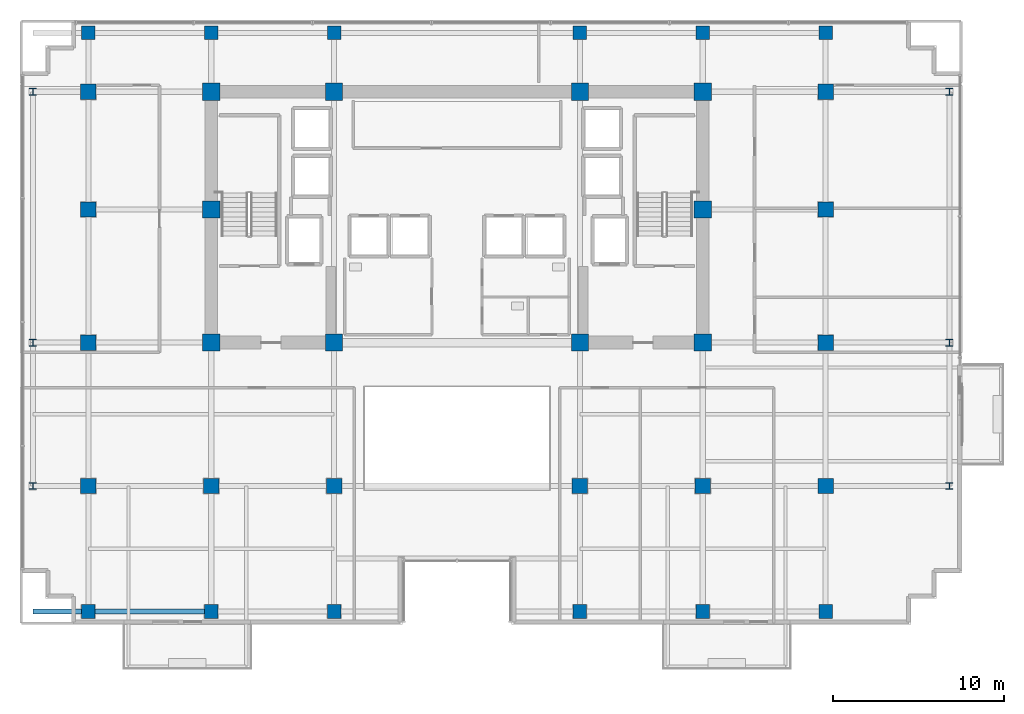
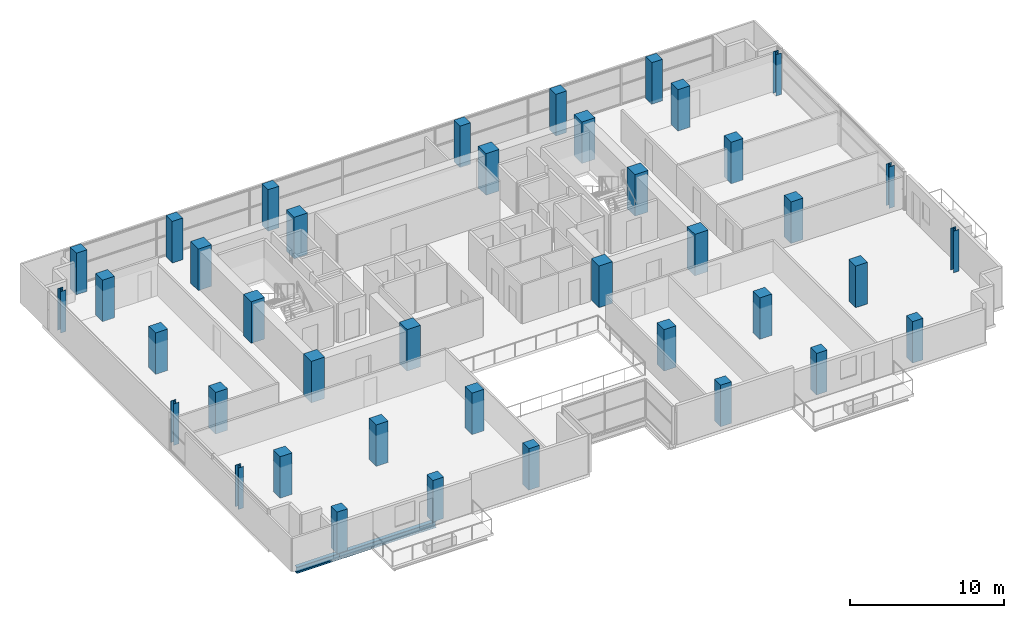
# One storey, part 1 of 25: 40 columns, 2 beams.
"""IFC4 building model written with IfcOpenShell, lengths in metres."""

from ifc_helpers import new_model, si_unit, direction, frame, origin, origin_2d, place, context, subcontext, project, spatial, rectangle, i_section, extrude, material, material_profile, profile_set, type_object, element, save


model = new_model("IFC4")

# Units and contexts
model_context = context("Model", 3, precision=1e-05, world=origin(), true_north=direction((0.0, 1.0)))
body_context = subcontext(model_context, "Body", "Model", "MODEL_VIEW")
ifc_project = project(units=[si_unit("LENGTHUNIT", "METRE"), si_unit("AREAUNIT", "SQUARE_METRE"), si_unit("VOLUMEUNIT", "CUBIC_METRE"), si_unit("PLANEANGLEUNIT", "RADIAN"), si_unit("MASSUNIT", "GRAM", prefix="KILO")], contexts=[model_context])

# Site, building, storey
site_placement = place(None, origin())
site = spatial("IfcSite", under=ifc_project, at=site_placement, CompositionType="ELEMENT")
building_placement = place(site_placement, origin())
building = spatial("IfcBuilding", under=site, at=building_placement, Name="Zarnakvel Exchange Tower", CompositionType="ELEMENT")
storey_placement = place(building_placement, frame((0.0, 0.0, 126.39990234375)))
storey = spatial("IfcBuildingStorey", under=building, at=storey_placement, Name="L35", CompositionType="ELEMENT", Elevation=126.39990234375)

# Columns
ifc_material_1 = material(Name="Concrete C60/75", Category="concrete")
ifc_material_profile_1 = material_profile(ifc_material_1, rectangle(XDim=1.0, YDim=1.0, at=origin_2d()))
ifc_profile_set_1 = profile_set([ifc_material_profile_1], Name="Concrete C60/75")
column_type_1 = type_object("IfcColumnType", Name="CC-02", PredefinedType="COLUMN", material=ifc_profile_set_1)
for number, where, z_axis, x_axis, name in (
    (1, (-14.39990234375, -1.199951171875, 0.0), (0.0, 0.0, 1.0), (1.0, 0.0, 0.0), "L35 Column C-4D (CC-02)"),
    (2, (-7.199951171875, -1.199951171875, 0.0), (0.0, 0.0, 1.0), (1.0, 0.0, 0.0), "L35 Column C-5D (CC-02)"),
    (3, (7.199951171875, -1.199951171875, 0.0), (0.0, 0.0, 1.0), (1.0, 0.0, 0.0), "L35 Column C-8D (CC-02)"),
    (4, (14.39990234375, -1.199951171875, 0.0), (0.0, 0.0, 1.0), (1.0, 0.0, 0.0), "L35 Column C-9D (CC-02)"),
    (5, (-14.39990234375, 6.60009765625, 0.0), (0.0, 0.0, 1.0), (1.0, 0.0, 0.0), "L35 Column C-4E (CC-02)"),
    (6, (14.39990234375, 6.60009765625, 0.0), (0.0, 0.0, 1.0), (1.0, 0.0, 0.0), "L35 Column C-9E (CC-02)"),
    (7, (-14.39990234375, 13.5, 0.0), (0.0, 0.0, 1.0), (1.0, 0.0, 0.0), "L35 Column C-4F (CC-02)"),
    (8, (-7.199951171875, 13.5, 0.0), (0.0, 0.0, 1.0), (1.0, 0.0, 0.0), "L35 Column C-5F (CC-02)"),
    (9, (7.199951171875, 13.5, 0.0), (0.0, 0.0, 1.0), (1.0, 0.0, 0.0), "L35 Column C-8F (CC-02)"),
    (10, (14.39990234375, 13.5, 0.0), (0.0, 0.0, 1.0), (1.0, 0.0, 0.0), "L35 Column C-9F (CC-02)"),
):
    element("IfcColumn", number, at=place(storey_placement, frame(where, z_axis=z_axis, x_axis=x_axis)), inside=storey, type_object=column_type_1, Name=name, PredefinedType="COLUMN", context=body_context, shape_type="SweptSolid", body=[
        extrude(rectangle(XDim=1.0, YDim=1.0, at=origin_2d()), origin(), (0.0, 0.0, 1.0), 3.300048828125),
    ])
ifc_material_2 = material(Name="Steel S355", Category="steel")
ifc_material_profile_2 = material_profile(ifc_material_2, i_section(OverallWidth=0.404052734375, OverallDepth=0.406982421875, WebThickness=0.0224609375, FlangeThickness=0.031982421875, FilletRadius=0.014892578125, at=origin_2d()))
ifc_profile_set_2 = profile_set([ifc_material_profile_2], Name="Steel S355")
column_type_2 = type_object("IfcColumnType", Name="SC-02", PredefinedType="COLUMN", material=ifc_profile_set_2)
for number, where, z_axis, x_axis, name in (
    (11, (-24.85009765625, -9.60009765625, 0.0), (0.0, 0.0, 1.0), (1.0, 0.0, 0.0), "L35 Column TW-C (SC-02)"),
    (12, (28.85009765625, -9.60009765625, 0.0), (0.0, 0.0, 1.0), (1.0, 0.0, 0.0), "L35 Column TE-C (SC-02)"),
    (13, (-24.85009765625, -1.199951171875, 0.0), (0.0, 0.0, 1.0), (1.0, 0.0, 0.0), "L35 Column TW-D (SC-02)"),
    (14, (28.85009765625, -1.199951171875, 0.0), (0.0, 0.0, 1.0), (1.0, 0.0, 0.0), "L35 Column TE-D (SC-02)"),
    (15, (-24.85009765625, 13.5, 0.0), (0.0, 0.0, 1.0), (1.0, 0.0, 0.0), "L35 Column TW-F (SC-02)"),
    (16, (28.85009765625, 13.5, 0.0), (0.0, 0.0, 1.0), (1.0, 0.0, 0.0), "L35 Column TE-F (SC-02)"),
):
    element("IfcColumn", number, at=place(storey_placement, frame(where, z_axis=z_axis, x_axis=x_axis)), inside=storey, type_object=column_type_2, Name=name, PredefinedType="COLUMN", context=body_context, shape_type="SweptSolid", body=[
        extrude(i_section(OverallWidth=0.404052734375, OverallDepth=0.406982421875, WebThickness=0.0224609375, FlangeThickness=0.031982421875, FilletRadius=0.014892578125, at=origin_2d()), origin(), (0.0, 0.0, 1.0), 3.300048828125),
    ])
ifc_material_profile_3 = material_profile(ifc_material_1, rectangle(XDim=0.89990234375, YDim=0.89990234375, at=origin_2d()))
ifc_profile_set_3 = profile_set([ifc_material_profile_3], Name="Concrete C60/75")
column_type_3 = type_object("IfcColumnType", Name="TC-02", PredefinedType="COLUMN", material=ifc_profile_set_3)
for number, where, z_axis, x_axis, name in (
    (17, (-14.39990234375, -9.60009765625, 0.0), (0.0, 0.0, 1.0), (1.0, 0.0, 0.0), "L35 Column T-4C (TC-02)"),
    (18, (-7.199951171875, -9.60009765625, 0.0), (0.0, 0.0, 1.0), (1.0, 0.0, 0.0), "L35 Column T-5C (TC-02)"),
    (19, (7.199951171875, -9.60009765625, 0.0), (0.0, 0.0, 1.0), (1.0, 0.0, 0.0), "L35 Column T-8C (TC-02)"),
    (20, (14.39990234375, -9.60009765625, 0.0), (0.0, 0.0, 1.0), (1.0, 0.0, 0.0), "L35 Column T-9C (TC-02)"),
    (21, (-21.60009765625, -9.60009765625, 0.0), (0.0, 0.0, 1.0), (1.0, 0.0, 0.0), "L35 Column T-3C (TC-02)"),
    (22, (-21.60009765625, -1.199951171875, 0.0), (0.0, 0.0, 1.0), (1.0, 0.0, 0.0), "L35 Column T-3D (TC-02)"),
    (23, (-21.60009765625, 6.60009765625, 0.0), (0.0, 0.0, 1.0), (1.0, 0.0, 0.0), "L35 Column T-3E (TC-02)"),
    (24, (-21.60009765625, 13.5, 0.0), (0.0, 0.0, 1.0), (1.0, 0.0, 0.0), "L35 Column T-3F (TC-02)"),
    (25, (21.60009765625, -9.60009765625, 0.0), (0.0, 0.0, 1.0), (1.0, 0.0, 0.0), "L35 Column T-10C (TC-02)"),
    (26, (21.60009765625, -1.199951171875, 0.0), (0.0, 0.0, 1.0), (1.0, 0.0, 0.0), "L35 Column T-10D (TC-02)"),
    (27, (21.60009765625, 6.60009765625, 0.0), (0.0, 0.0, 1.0), (1.0, 0.0, 0.0), "L35 Column T-10E (TC-02)"),
    (28, (21.60009765625, 13.5, 0.0), (0.0, 0.0, 1.0), (1.0, 0.0, 0.0), "L35 Column T-10F (TC-02)"),
):
    element("IfcColumn", number, at=place(storey_placement, frame(where, z_axis=z_axis, x_axis=x_axis)), inside=storey, type_object=column_type_3, Name=name, PredefinedType="COLUMN", context=body_context, shape_type="SweptSolid", body=[
        extrude(rectangle(XDim=0.89990234375, YDim=0.89990234375, at=origin_2d()), origin(), (0.0, 0.0, 1.0), 3.300048828125),
    ])
ifc_material_profile_4 = material_profile(ifc_material_1, rectangle(XDim=0.800048828125, YDim=0.800048828125, at=origin_2d()))
ifc_profile_set_4 = profile_set([ifc_material_profile_4], Name="Concrete C60/75")
column_type_4 = type_object("IfcColumnType", Name="TC-03", PredefinedType="COLUMN", material=ifc_profile_set_4)
for number, where, z_axis, x_axis, name in (
    (29, (-14.39990234375, -16.949951171875, 0.0), (0.0, 0.0, 1.0), (1.0, 0.0, 0.0), "L35 Column TS-4 (TC-03)"),
    (30, (-14.39990234375, 16.949951171875, 0.0), (0.0, 0.0, 1.0), (1.0, 0.0, 0.0), "L35 Column TN-4 (TC-03)"),
    (31, (-7.199951171875, -16.949951171875, 0.0), (0.0, 0.0, 1.0), (1.0, 0.0, 0.0), "L35 Column TS-5 (TC-03)"),
    (32, (-7.199951171875, 16.949951171875, 0.0), (0.0, 0.0, 1.0), (1.0, 0.0, 0.0), "L35 Column TN-5 (TC-03)"),
    (33, (7.199951171875, -16.949951171875, 0.0), (0.0, 0.0, 1.0), (1.0, 0.0, 0.0), "L35 Column TS-8 (TC-03)"),
    (34, (7.199951171875, 16.949951171875, 0.0), (0.0, 0.0, 1.0), (1.0, 0.0, 0.0), "L35 Column TN-8 (TC-03)"),
    (35, (14.39990234375, -16.949951171875, 0.0), (0.0, 0.0, 1.0), (1.0, 0.0, 0.0), "L35 Column TS-9 (TC-03)"),
    (36, (14.39990234375, 16.949951171875, 0.0), (0.0, 0.0, 1.0), (1.0, 0.0, 0.0), "L35 Column TN-9 (TC-03)"),
    (37, (-21.60009765625, -16.949951171875, 0.0), (0.0, 0.0, 1.0), (1.0, 0.0, 0.0), "L35 Column TS-3 (TC-03)"),
    (38, (-21.60009765625, 16.949951171875, 0.0), (0.0, 0.0, 1.0), (1.0, 0.0, 0.0), "L35 Column TN-3 (TC-03)"),
    (39, (21.60009765625, -16.949951171875, 0.0), (0.0, 0.0, 1.0), (1.0, 0.0, 0.0), "L35 Column TS-10 (TC-03)"),
    (40, (21.60009765625, 16.949951171875, 0.0), (0.0, 0.0, 1.0), (1.0, 0.0, 0.0), "L35 Column TN-10 (TC-03)"),
):
    element("IfcColumn", number, at=place(storey_placement, frame(where, z_axis=z_axis, x_axis=x_axis)), inside=storey, type_object=column_type_4, Name=name, PredefinedType="COLUMN", context=body_context, shape_type="SweptSolid", body=[
        extrude(rectangle(XDim=0.800048828125, YDim=0.800048828125, at=origin_2d()), origin(), (0.0, 0.0, 1.0), 3.300048828125),
    ])

# Beams
ifc_material_profile_5 = material_profile(ifc_material_2, i_section(OverallWidth=0.300048828125, OverallDepth=0.5, WebThickness=0.014404296875, FlangeThickness=0.028076171875, FilletRadius=0.027099609375, at=origin_2d()))
ifc_profile_set_5 = profile_set([ifc_material_profile_5], Name="Steel S355")
beam_type = type_object("IfcBeamType", Name="SP-02", PredefinedType="SPANDREL", material=ifc_profile_set_5)
beam_1_placement = place(storey_placement, frame((-21.60009765625, -16.949951171875, -0.474853515625), z_axis=(1.0, 0.0, 0.0), x_axis=(0.0, 1.0, 0.0)))
element("IfcBeam", 41, at=beam_1_placement, inside=storey, type_object=beam_type, Name="L35 Tower E-W Frame Beam", PredefinedType="SPANDREL", context=body_context, shape_type="SweptSolid", body=[
    extrude(i_section(OverallWidth=0.300048828125, OverallDepth=0.5, WebThickness=0.014404296875, FlangeThickness=0.028076171875, FilletRadius=0.027099609375, at=origin_2d()), origin(), (0.0, 0.0, 1.0), 7.2001953125),
])
beam_2_placement = place(storey_placement, frame((-24.85009765625, -16.949951171875, -0.474853515625), z_axis=(1.0, 0.0, 0.0), x_axis=(0.0, 1.0, 0.0)))
element("IfcBeam", 42, at=beam_2_placement, inside=storey, type_object=beam_type, Name="L35 South-West Corner Spandrel", PredefinedType="SPANDREL", context=body_context, shape_type="SweptSolid", body=[
    extrude(i_section(OverallWidth=0.300048828125, OverallDepth=0.5, WebThickness=0.014404296875, FlangeThickness=0.028076171875, FilletRadius=0.027099609375, at=origin_2d()), origin(), (0.0, 0.0, 1.0), 3.25),
])

save(model, "model.ifc")
